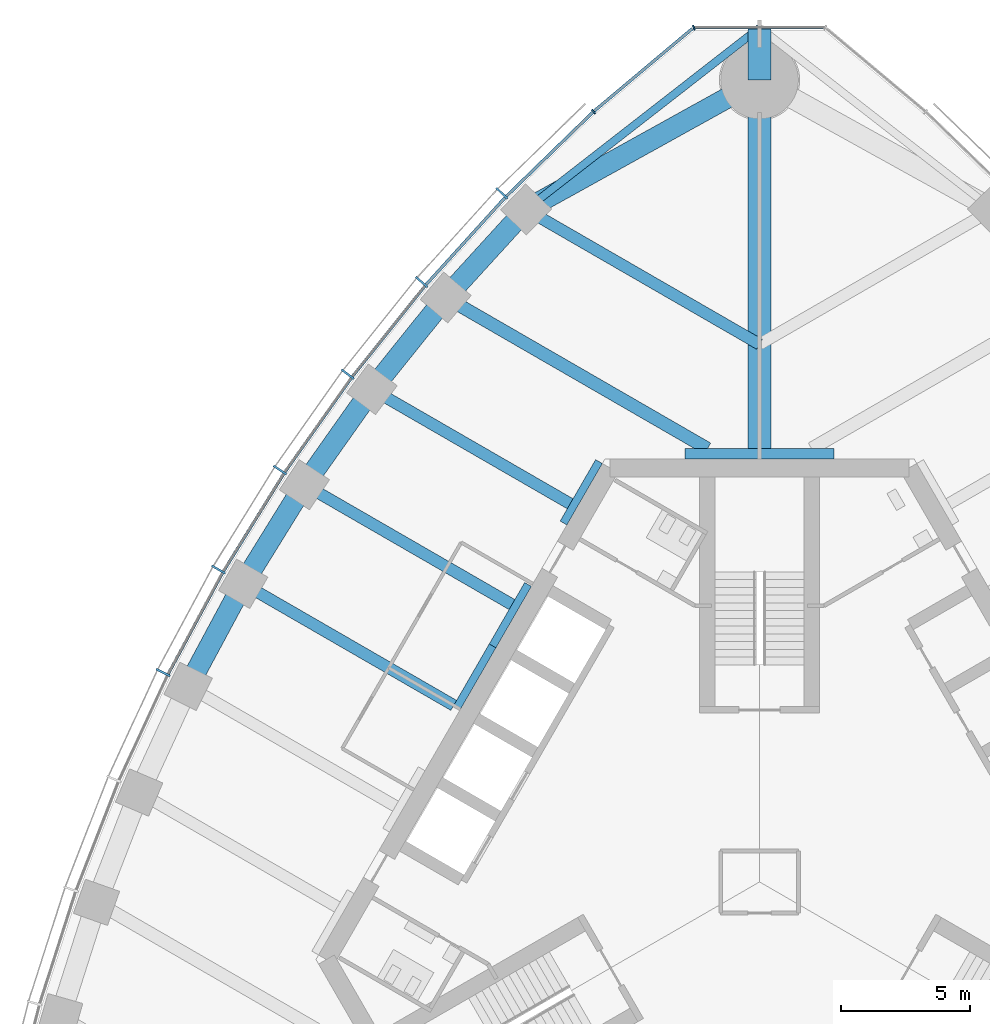
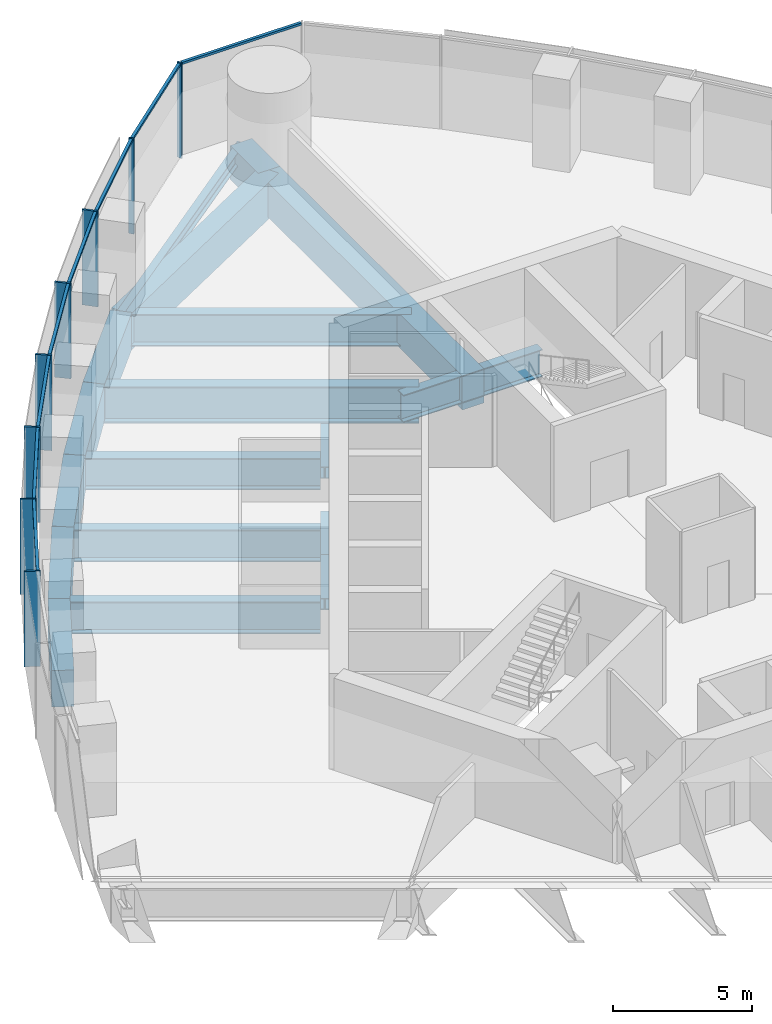
# One storey, part 5 of 14: 19 beams, 16 members, 2 elements without a shape of their own.
"""IFC4 building model written with IfcOpenShell, lengths in metres."""

from ifc_helpers import new_model, si_unit, direction, frame, origin, origin_2d, place, context, subcontext, project, spatial, rectangle, i_section, extrude, material, material_profile, profile_set, type_object, element, aggregate, save


model = new_model("IFC4")

# Units and contexts
model_context = context("Model", 3, precision=1e-05, world=origin(), true_north=direction((0.0, 1.0)))
body_context = subcontext(model_context, "Body", "Model", "MODEL_VIEW")
ifc_project = project(units=[si_unit("LENGTHUNIT", "METRE"), si_unit("AREAUNIT", "SQUARE_METRE"), si_unit("VOLUMEUNIT", "CUBIC_METRE"), si_unit("PLANEANGLEUNIT", "RADIAN"), si_unit("MASSUNIT", "GRAM", prefix="KILO")], contexts=[model_context])

# Site, building, storey
site_placement = place(None, origin())
site = spatial("IfcSite", under=ifc_project, at=site_placement, CompositionType="ELEMENT")
building_placement = place(site_placement, origin())
building = spatial("IfcBuilding", under=site, at=building_placement, Name="Trefoil Bronze Tower", CompositionType="ELEMENT")
storey_placement = place(building_placement, frame((0.0, 0.0, 280.5)))
storey = spatial("IfcBuildingStorey", under=building, at=storey_placement, Name="L64", CompositionType="ELEMENT", Elevation=280.5)

# Curtain wall, members
ifc_material_1 = material(Name="Tinted solar-control glass", Category="glass")
curtain_wall_type_1 = type_object("IfcCurtainWallType", Name="Bronze office curtain wall", PredefinedType="USERDEFINED", material=ifc_material_1)
curtain_wall_1_placement = place(storey_placement, origin())
curtain_wall_1 = element("IfcCurtainWall", 1, at=curtain_wall_1_placement, inside=storey, type_object=curtain_wall_type_1, Name="CW-A L64 F3", ObjectType="CURTAIN WALL", PredefinedType="USERDEFINED")
ifc_material_2 = material(Name="Bronze-finish aluminium", Category="aluminium")
ifc_material_profile_1 = material_profile(ifc_material_2, rectangle(XDim=0.60009765625, YDim=0.080078125, at=origin_2d()), Name="CW-A mullion")
ifc_profile_set_1 = profile_set([ifc_material_profile_1], Name="Bronze-finish aluminium")
member_type_1 = type_object("IfcMemberType", Name="Bronze office curtain wall mullion", PredefinedType="MULLION", material=ifc_profile_set_1)
member_1_placement = place(storey_placement, frame((-9.957275390625, 26.617431640625, 0.0), z_axis=(0.0, 0.0, 1.0), x_axis=(0.719001349715, -0.695008675564, 0.0)))
member_1 = element("IfcMember", 2, at=member_1_placement, type_object=member_type_1, Name="CW-A L64 F3 mullion 2", PredefinedType="MULLION", context=body_context, shape_type="SweptSolid", body=[
    extrude(rectangle(XDim=0.60009765625, YDim=0.080078125, at=origin_2d()), origin(), (0.0, 0.0, 1.0), 4.179931640625),
])
member_2_placement = place(storey_placement, frame((-13.064453125, 23.194091796875, 0.0), z_axis=(0.0, 0.0, 1.0), x_axis=(0.760781190165, -0.649008459646, 0.0)))
member_2 = element("IfcMember", 3, at=member_2_placement, type_object=member_type_1, Name="CW-A L64 F3 mullion 3", PredefinedType="MULLION", context=body_context, shape_type="SweptSolid", body=[
    extrude(rectangle(XDim=0.60009765625, YDim=0.080078125, at=origin_2d()), origin(), (0.0, 0.0, 1.0), 4.179931640625),
])
member_3_placement = place(storey_placement, frame((-15.922607421875, 19.627197265625, 0.0), z_axis=(0.0, 0.0, 1.0), x_axis=(0.799096076136, -0.601203344222, 0.0)))
member_3 = element("IfcMember", 4, at=member_3_placement, type_object=member_type_1, Name="CW-A L64 F3 mullion 4", PredefinedType="MULLION", context=body_context, shape_type="SweptSolid", body=[
    extrude(rectangle(XDim=0.60009765625, YDim=0.080078125, at=origin_2d()), origin(), (0.0, 0.0, 1.0), 4.179931640625),
])
member_4_placement = place(storey_placement, frame((-18.538330078125, 15.920166015625, 0.0), z_axis=(0.0, 0.0, 1.0), x_axis=(0.834159158089, -0.551523797289, 0.0)))
member_4 = element("IfcMember", 5, at=member_4_placement, type_object=member_type_1, Name="CW-A L64 F3 mullion 5", PredefinedType="MULLION", context=body_context, shape_type="SweptSolid", body=[
    extrude(rectangle(XDim=0.60009765625, YDim=0.080078125, at=origin_2d()), origin(), (0.0, 0.0, 1.0), 4.179931640625),
])
member_5_placement = place(storey_placement, frame((-20.916015625, 12.07568359375, 0.0), z_axis=(0.0, 0.0, 1.0), x_axis=(0.866025403784, -0.5, 0.0)))
member_5 = element("IfcMember", 6, at=member_5_placement, type_object=member_type_1, Name="CW-A L64 F3 mullion 6", PredefinedType="MULLION", context=body_context, shape_type="SweptSolid", body=[
    extrude(rectangle(XDim=0.60009765625, YDim=0.080078125, at=origin_2d()), origin(), (0.0, 0.0, 1.0), 4.179931640625),
])
member_6_placement = place(storey_placement, frame((-23.056396484375, 8.094482421875, 0.0), z_axis=(0.0, 0.0, 1.0), x_axis=(0.894713198289, -0.44664112306, 0.0)))
member_6 = element("IfcMember", 7, at=member_6_placement, type_object=member_type_1, Name="CW-A L64 F3 mullion 7", PredefinedType="MULLION", context=body_context, shape_type="SweptSolid", body=[
    extrude(rectangle(XDim=0.60009765625, YDim=0.080078125, at=origin_2d()), origin(), (0.0, 0.0, 1.0), 4.179931640625),
])
ifc_material_3 = material(Name="Bronze-finish aluminium", Category="aluminium")
ifc_material_profile_2 = material_profile(ifc_material_3, rectangle(XDim=0.1201171875, YDim=0.10009765625, at=origin_2d()), Name="CW-A transom")
ifc_profile_set_2 = profile_set([ifc_material_profile_2], Name="Bronze-finish aluminium")
member_type_2 = type_object("IfcMemberType", Name="Bronze office curtain wall transom", PredefinedType="USERDEFINED", material=ifc_profile_set_2)
member_7_placement = place(storey_placement, frame((-6.44921875, 29.7470703125, 4.1298828125), z_axis=(-0.717224617883, -0.696842053484, 0.0), x_axis=(0.696842053484, -0.717224617883, 0.0)))
member_7 = element("IfcMember", 8, at=member_7_placement, type_object=member_type_2, Name="CW-A L64 F3 transom 1", ObjectType="TRANSOM", PredefinedType="USERDEFINED", context=body_context, shape_type="SweptSolid", body=[
    extrude(rectangle(XDim=0.1201171875, YDim=0.10009765625, at=origin_2d()), origin(), (0.0, 0.0, 1.0), 4.6474609375),
])
member_8_placement = place(storey_placement, frame((-9.842529296875, 26.446533203125, 4.1298828125), z_axis=(-0.672068269674, -0.740489190264, 0.0), x_axis=(0.740489190264, -0.672068269674, 0.0)))
member_8 = element("IfcMember", 9, at=member_8_placement, type_object=member_type_2, Name="CW-A L64 F3 transom 2", ObjectType="TRANSOM", PredefinedType="USERDEFINED", context=body_context, shape_type="SweptSolid", body=[
    extrude(rectangle(XDim=0.1201171875, YDim=0.10009765625, at=origin_2d()), origin(), (0.0, 0.0, 1.0), 4.5244140625),
])
member_9_placement = place(storey_placement, frame((-12.939208984375, 23.03076171875, 4.1298828125), z_axis=(-0.625300648488, -0.780383943325, 0.0), x_axis=(0.780383943325, -0.625300648488, 0.0)))
member_9 = element("IfcMember", 10, at=member_9_placement, type_object=member_type_2, Name="CW-A L64 F3 transom 3", ObjectType="TRANSOM", PredefinedType="USERDEFINED", context=body_context, shape_type="SweptSolid", body=[
    extrude(rectangle(XDim=0.1201171875, YDim=0.10009765625, at=origin_2d()), origin(), (0.0, 0.0, 1.0), 4.472412109375),
])
member_10_placement = place(storey_placement, frame((-15.78759765625, 19.4716796875, 4.1298828125), z_axis=(-0.5765665752, -0.817050172488, 0.0), x_axis=(0.817050172488, -0.5765665752, 0.0)))
member_10 = element("IfcMember", 11, at=member_10_placement, type_object=member_type_2, Name="CW-A L64 F3 transom 4", ObjectType="TRANSOM", PredefinedType="USERDEFINED", context=body_context, shape_type="SweptSolid", body=[
    extrude(rectangle(XDim=0.1201171875, YDim=0.10009765625, at=origin_2d()), origin(), (0.0, 0.0, 1.0), 4.4384765625),
])
member_11_placement = place(storey_placement, frame((-18.394287109375, 15.7734375, 4.1298828125), z_axis=(-0.525978235299, -0.850498028212, 0.0), x_axis=(0.850498028212, -0.525978235299, 0.0)))
member_11 = element("IfcMember", 12, at=member_11_placement, type_object=member_type_2, Name="CW-A L64 F3 transom 5", ObjectType="TRANSOM", PredefinedType="USERDEFINED", context=body_context, shape_type="SweptSolid", body=[
    extrude(rectangle(XDim=0.1201171875, YDim=0.10009765625, at=origin_2d()), origin(), (0.0, 0.0, 1.0), 4.422119140625),
])
member_12_placement = place(storey_placement, frame((-20.76318359375, 11.93798828125, 4.1298828125), z_axis=(-0.473540024981, -0.880772300167, 0.0), x_axis=(0.880772300167, -0.473540024981, 0.0)))
member_12 = element("IfcMember", 13, at=member_12_placement, type_object=member_type_2, Name="CW-A L64 F3 transom 6", ObjectType="TRANSOM", PredefinedType="USERDEFINED", context=body_context, shape_type="SweptSolid", body=[
    extrude(rectangle(XDim=0.1201171875, YDim=0.10009765625, at=origin_2d()), origin(), (0.0, 0.0, 1.0), 4.422119140625),
])
aggregate(curtain_wall_1, [member_1, member_2, member_3, member_4, member_5, member_6, member_7, member_8, member_9, member_10, member_11, member_12])

ifc_material_4 = material(Name="Tinted solar-control glass", Category="glass")
curtain_wall_type_2 = type_object("IfcCurtainWallType", Name="Bronze rounded corner curtain wall", PredefinedType="USERDEFINED", material=ifc_material_4)
curtain_wall_2_placement = place(storey_placement, origin())
curtain_wall_2 = element("IfcCurtainWall", 14, at=curtain_wall_2_placement, inside=storey, type_object=curtain_wall_type_2, Name="CW-B L64 K2", ObjectType="CURTAIN WALL", PredefinedType="USERDEFINED")
ifc_material_5 = material(Name="Bronze-finish aluminium", Category="aluminium")
ifc_material_profile_3 = material_profile(ifc_material_5, rectangle(XDim=0.199951171875, YDim=0.06005859375, at=origin_2d()), Name="CW-B mullion")
ifc_profile_set_3 = profile_set([ifc_material_profile_3], Name="Bronze-finish aluminium")
member_type_3 = type_object("IfcMemberType", Name="Bronze rounded corner curtain wall mullion", PredefinedType="MULLION", material=ifc_profile_set_3)
member_13_placement = place(storey_placement, frame((-2.542236328125, 33.021484375, 0.0), z_axis=(0.0, 0.0, 1.0), x_axis=(0.342020143326, -0.939692620786, 0.0)))
member_13 = element("IfcMember", 15, at=member_13_placement, type_object=member_type_3, Name="CW-B L64 K2 mullion 3", PredefinedType="MULLION", context=body_context, shape_type="SweptSolid", body=[
    extrude(rectangle(XDim=0.199951171875, YDim=0.06005859375, at=origin_2d()), origin(), (0.0, 0.0, 1.0), 4.179931640625),
])
member_14_placement = place(storey_placement, frame((-6.4150390625, 29.77978515625, 0.0), z_axis=(0.0, 0.0, 1.0), x_axis=(0.642787609687, -0.766044443119, 0.0)))
member_14 = element("IfcMember", 16, at=member_14_placement, type_object=member_type_3, Name="CW-B L64 K2 mullion 4", PredefinedType="MULLION", context=body_context, shape_type="SweptSolid", body=[
    extrude(rectangle(XDim=0.199951171875, YDim=0.06005859375, at=origin_2d()), origin(), (0.0, 0.0, 1.0), 4.179931640625),
])
ifc_material_6 = material(Name="Bronze-finish aluminium", Category="aluminium")
ifc_material_profile_4 = material_profile(ifc_material_6, rectangle(XDim=0.1201171875, YDim=0.10009765625, at=origin_2d()), Name="CW-B transom")
ifc_profile_set_4 = profile_set([ifc_material_profile_4], Name="Bronze-finish aluminium")
member_type_4 = type_object("IfcMemberType", Name="Bronze rounded corner curtain wall transom", PredefinedType="USERDEFINED", material=ifc_profile_set_4)
member_15_placement = place(storey_placement, frame((2.47802734375, 33.027587890625, 4.1298828125), z_axis=(-1.0, 0.0, 0.0), x_axis=(0.0, -1.0, 0.0)))
member_15 = element("IfcMember", 17, at=member_15_placement, type_object=member_type_4, Name="CW-B L64 K2 transom 2", ObjectType="TRANSOM", PredefinedType="USERDEFINED", context=body_context, shape_type="SweptSolid", body=[
    extrude(rectangle(XDim=0.1201171875, YDim=0.10009765625, at=origin_2d()), origin(), (0.0, 0.0, 1.0), 4.9560546875),
])
member_16_placement = place(storey_placement, frame((-2.595458984375, 32.98486328125, 4.1298828125), z_axis=(-0.766040522511, -0.642792282056, 0.0), x_axis=(0.642792282056, -0.766040522511, 0.0)))
member_16 = element("IfcMember", 18, at=member_16_placement, type_object=member_type_4, Name="CW-B L64 K2 transom 3", ObjectType="TRANSOM", PredefinedType="USERDEFINED", context=body_context, shape_type="SweptSolid", body=[
    extrude(rectangle(XDim=0.1201171875, YDim=0.10009765625, at=origin_2d()), origin(), (0.0, 0.0, 1.0), 4.9560546875),
])
aggregate(curtain_wall_2, [member_13, member_14, member_15, member_16])

# Beams
ifc_material_7 = material(Name="Steel C355", Category="steel")
ifc_material_profile_5 = material_profile(ifc_material_7, i_section(OverallWidth=0.300048828125, OverallDepth=0.5, WebThickness=0.014404296875, FlangeThickness=0.028076171875, FilletRadius=0.027099609375, at=origin_2d()), Name="HEB 500")
ifc_profile_set_5 = profile_set([ifc_material_profile_5], Name="Steel C355")
beam_type_1 = type_object("IfcBeamType", Name="Core seat beam HEB 500", PredefinedType="BEAM", material=ifc_profile_set_5)
for number, where, z_axis, x_axis, name in (
    (19, (-6.20654296875, 16.25, -0.449951171875), (-0.499969057507, -0.866043267704, 0.0), (0.866043267704, -0.499969057507, 0.0), "Core seat beam F3/-2 L64"),
    (20, (-8.948974609375, 11.5, -0.449951171875), (-0.499969057507, -0.866043267704, 0.0), (0.866043267704, -0.499969057507, 0.0), "Core seat beam F3/-1 L64"),
    (21, (-10.320068359375, 9.125, -0.449951171875), (-0.500035825175, -0.866004719122, 0.0), (0.866004719122, -0.500035825175, 0.0), "Core seat beam F3/+0 L64"),
):
    element("IfcBeam", number, at=place(storey_placement, frame(where, z_axis=z_axis, x_axis=x_axis)), inside=storey, type_object=beam_type_1, Name=name, PredefinedType="BEAM", context=body_context, shape_type="SweptSolid", body=[
        extrude(i_section(OverallWidth=0.300048828125, OverallDepth=0.5, WebThickness=0.014404296875, FlangeThickness=0.028076171875, FilletRadius=0.027099609375, at=origin_2d()), origin(), (0.0, 0.0, 1.0), 2.742431640625),
    ])
ifc_material_8 = material(Name="Steel C355", Category="steel")
ifc_material_profile_6 = material_profile(ifc_material_8, i_section(OverallWidth=0.39990234375, OverallDepth=1.199951171875, WebThickness=0.02001953125, FlangeThickness=0.0400390625, FilletRadius=0.010009765625, at=origin_2d()), Name="WPG 1200")
ifc_profile_set_6 = profile_set([ifc_material_profile_6], Name="Steel C355")
beam_type_2 = type_object("IfcBeamType", Name="Core seat beam WPG 1200", PredefinedType="BEAM", material=ifc_profile_set_6)
for number, where, z_axis, x_axis, name in (
    (22, (2.88671875, 16.550048828125, -0.800048828125), (-1.0, 0.0, 0.0), (0.0, -1.0, 0.0), "Core seat beam F2/+3 L64"),
    (23, (0.0, 16.550048828125, -0.800048828125), (-1.0, 0.0, 0.0), (0.0, -1.0, 0.0), "Core seat beam F3/-3 L64"),
):
    element("IfcBeam", number, at=place(storey_placement, frame(where, z_axis=z_axis, x_axis=x_axis)), inside=storey, type_object=beam_type_2, Name=name, PredefinedType="BEAM", context=body_context, shape_type="SweptSolid", body=[
        extrude(i_section(OverallWidth=0.39990234375, OverallDepth=1.199951171875, WebThickness=0.02001953125, FlangeThickness=0.0400390625, FilletRadius=0.010009765625, at=origin_2d()), origin(), (0.0, 0.0, 1.0), 2.88671875),
    ])
ifc_material_9 = material(Name="Concrete B80", Category="concrete")
ifc_material_profile_7 = material_profile(ifc_material_9, rectangle(XDim=0.89990234375, YDim=1.5, at=origin_2d()), Name="RC 900x1500")
ifc_profile_set_7 = profile_set([ifc_material_profile_7], Name="Concrete B80")
beam_type_3 = type_object("IfcBeamType", Name="Corner cantilever RC 900x1500", PredefinedType="BEAM", material=ifc_profile_set_7)
beam_1_placement = place(storey_placement, frame((0.0, 31.0, -0.949951171875), z_axis=(0.0, 1.0, 0.0), x_axis=(-1.0, 0.0, 0.0)))
element("IfcBeam", 24, at=beam_1_placement, inside=storey, type_object=beam_type_3, Name="Corner cantilever K2 L64", PredefinedType="BEAM", context=body_context, shape_type="SweptSolid", body=[
    extrude(rectangle(XDim=0.89990234375, YDim=1.5, at=origin_2d()), origin(), (0.0, 0.0, 1.0), 2.019775390625),
])
ifc_material_10 = material(Name="Steel C355", Category="steel")
ifc_material_profile_8 = material_profile(ifc_material_10, i_section(OverallWidth=0.300048828125, OverallDepth=0.60009765625, WebThickness=0.015380859375, FlangeThickness=0.030029296875, FilletRadius=0.027099609375, at=origin_2d()), Name="HEB 600")
ifc_profile_set_8 = profile_set([ifc_material_profile_8], Name="Steel C355")
beam_type_4 = type_object("IfcBeamType", Name="Corner edge beam HEB 600", PredefinedType="BEAM", material=ifc_profile_set_8)
beam_2_placement = place(storey_placement, frame((-9.02734375, 25.99658203125, -0.5), z_axis=(0.789270604977, 0.614045529354, 0.0), x_axis=(-0.614045529354, 0.789270604977, 0.0)))
element("IfcBeam", 25, at=beam_2_placement, inside=storey, type_object=beam_type_4, Name="Corner edge beam F3B L64", PredefinedType="BEAM", context=body_context, shape_type="SweptSolid", body=[
    extrude(i_section(OverallWidth=0.300048828125, OverallDepth=0.60009765625, WebThickness=0.015380859375, FlangeThickness=0.030029296875, FilletRadius=0.027099609375, at=origin_2d()), origin(), (0.0, 0.0, 1.0), 11.4375),
])
ifc_material_11 = material(Name="Concrete B80", Category="concrete")
ifc_material_profile_9 = material_profile(ifc_material_11, rectangle(XDim=0.89990234375, YDim=1.5, at=origin_2d()), Name="RC 900x1500")
ifc_profile_set_9 = profile_set([ifc_material_profile_9], Name="Concrete B80")
beam_type_5 = type_object("IfcBeamType", Name="Corner girder RC 900x1500", PredefinedType="BEAM", material=ifc_profile_set_9)
beam_3_placement = place(storey_placement, frame((0.0, 16.35009765625, -0.949951171875), z_axis=(0.0, 1.0, 0.0), x_axis=(-1.0, 0.0, 0.0)))
element("IfcBeam", 26, at=beam_3_placement, inside=storey, type_object=beam_type_5, Name="Corner girder K2 L64", PredefinedType="BEAM", context=body_context, shape_type="SweptSolid", body=[
    extrude(rectangle(XDim=0.89990234375, YDim=1.5, at=origin_2d()), origin(), (0.0, 0.0, 1.0), 14.64990234375),
])
ifc_material_12 = material(Name="Concrete B80", Category="concrete")
ifc_material_profile_10 = material_profile(ifc_material_12, rectangle(XDim=0.800048828125, YDim=1.60009765625, at=origin_2d()), Name="RC 800x1600")
ifc_profile_set_10 = profile_set([ifc_material_profile_10], Name="Concrete B80")
beam_type_6 = type_object("IfcBeamType", Name="End spandrel beam RC 800x1600", PredefinedType="SPANDREL", material=ifc_profile_set_10)
beam_4_placement = place(storey_placement, frame((0.0, 31.0, -1.0), z_axis=(-0.874641085074, -0.484771051426, 0.0), x_axis=(0.484771051426, -0.874641085074, 0.0)))
element("IfcBeam", 27, at=beam_4_placement, inside=storey, type_object=beam_type_6, Name="Spandrel F3.1 L64", PredefinedType="SPANDREL", context=body_context, shape_type="SweptSolid", body=[
    extrude(rectangle(XDim=0.800048828125, YDim=1.60009765625, at=origin_2d()), origin(), (0.0, 0.0, 1.0), 10.3212890625),
])
ifc_material_13 = material(Name="Steel C355", Category="steel")
ifc_material_profile_11 = material_profile(ifc_material_13, i_section(OverallWidth=0.449951171875, OverallDepth=1.39990234375, WebThickness=0.02294921875, FlangeThickness=0.044921875, FilletRadius=0.011962890625, at=origin_2d()), Name="WPG 1400")
ifc_profile_set_11 = profile_set([ifc_material_profile_11], Name="Steel C355")
beam_type_7 = type_object("IfcBeamType", Name="Floor beam WPG 1400", PredefinedType="BEAM", material=ifc_profile_set_11)
beam_5_placement = place(storey_placement, frame((-9.02734375, 25.99658203125, -0.89990234375), z_axis=(0.866026453994, -0.499998180979, 0.0), x_axis=(0.499998180979, 0.866026453994, 0.0)))
element("IfcBeam", 28, at=beam_5_placement, inside=storey, type_object=beam_type_7, Name="Floor beam F3/-4 L64", PredefinedType="BEAM", context=body_context, shape_type="SweptSolid", body=[
    extrude(i_section(OverallWidth=0.449951171875, OverallDepth=1.39990234375, WebThickness=0.02294921875, FlangeThickness=0.044921875, FilletRadius=0.011962890625, at=origin_2d()), origin(), (0.0, 0.0, 1.0), 10.423828125),
])
beam_6_placement = place(storey_placement, frame((-14.98486328125, 19.043701171875, -0.89990234375), z_axis=(0.866025701847, -0.499999483739, 0.0), x_axis=(0.499999483739, 0.866025701847, 0.0)))
element("IfcBeam", 29, at=beam_6_placement, inside=storey, type_object=beam_type_7, Name="Floor beam F3/-2 L64", PredefinedType="BEAM", context=body_context, shape_type="SweptSolid", body=[
    extrude(i_section(OverallWidth=0.449951171875, OverallDepth=1.39990234375, WebThickness=0.02294921875, FlangeThickness=0.044921875, FilletRadius=0.011962890625, at=origin_2d()), origin(), (0.0, 0.0, 1.0), 8.84912109375),
])
beam_7_placement = place(storey_placement, frame((-17.593994140625, 15.35400390625, -0.89990234375), z_axis=(0.866028909405, -0.499993928037, 0.0), x_axis=(0.499993928037, 0.866028909405, 0.0)))
element("IfcBeam", 30, at=beam_7_placement, inside=storey, type_object=beam_type_7, Name="Floor beam F3/-1 L64", PredefinedType="BEAM", context=body_context, shape_type="SweptSolid", body=[
    extrude(i_section(OverallWidth=0.449951171875, OverallDepth=1.39990234375, WebThickness=0.02294921875, FlangeThickness=0.044921875, FilletRadius=0.011962890625, at=origin_2d()), origin(), (0.0, 0.0, 1.0), 9.263671875),
])
beam_8_placement = place(storey_placement, frame((-19.96337890625, 11.52587890625, -0.89990234375), z_axis=(0.866021259968, -0.500007177232, 0.0), x_axis=(0.500007177232, 0.866021259968, 0.0)))
element("IfcBeam", 31, at=beam_8_placement, inside=storey, type_object=beam_type_7, Name="Floor beam F3/+0 L64", PredefinedType="BEAM", context=body_context, shape_type="SweptSolid", body=[
    extrude(i_section(OverallWidth=0.449951171875, OverallDepth=1.39990234375, WebThickness=0.02294921875, FlangeThickness=0.044921875, FilletRadius=0.011962890625, at=origin_2d()), origin(), (0.0, 0.0, 1.0), 9.401611328125),
])
ifc_material_14 = material(Name="Steel C355", Category="steel")
ifc_material_profile_12 = material_profile(ifc_material_14, i_section(OverallWidth=0.5, OverallDepth=1.60009765625, WebThickness=0.02587890625, FlangeThickness=0.050048828125, FilletRadius=0.011962890625, at=origin_2d()), Name="WPG 1600")
ifc_profile_set_12 = profile_set([ifc_material_profile_12], Name="Steel C355")
beam_type_8 = type_object("IfcBeamType", Name="Floor beam WPG 1600", PredefinedType="BEAM", material=ifc_profile_set_12)
beam_9_placement = place(storey_placement, frame((-12.131591796875, 22.5927734375, -1.0), z_axis=(0.866017882563, -0.500013026912, 0.0), x_axis=(0.500013026912, 0.866017882563, 0.0)))
element("IfcBeam", 32, at=beam_9_placement, inside=storey, type_object=beam_type_8, Name="Floor beam F3/-3 L64", PredefinedType="BEAM", context=body_context, shape_type="SweptSolid", body=[
    extrude(i_section(OverallWidth=0.5, OverallDepth=1.60009765625, WebThickness=0.02587890625, FlangeThickness=0.050048828125, FilletRadius=0.011962890625, at=origin_2d()), origin(), (0.0, 0.0, 1.0), 11.685302734375),
])
ifc_material_15 = material(Name="Concrete B80", Category="concrete")
ifc_material_profile_13 = material_profile(ifc_material_15, rectangle(XDim=0.800048828125, YDim=1.60009765625, at=origin_2d()), Name="RC 800x1600")
ifc_profile_set_13 = profile_set([ifc_material_profile_13], Name="Concrete B80")
beam_type_9 = type_object("IfcBeamType", Name="Spandrel beam RC 800x1600", PredefinedType="SPANDREL", material=ifc_profile_set_13)
beam_10_placement = place(storey_placement, frame((-9.02734375, 25.99658203125, -1.0), z_axis=(-0.673845775847, -0.738872025707, 0.0), x_axis=(0.738872025707, -0.673845775847, 0.0)))
element("IfcBeam", 33, at=beam_10_placement, inside=storey, type_object=beam_type_9, Name="Spandrel F3.2 L64", PredefinedType="SPANDREL", context=body_context, shape_type="SweptSolid", body=[
    extrude(rectangle(XDim=0.800048828125, YDim=1.60009765625, at=origin_2d()), origin(), (0.0, 0.0, 1.0), 4.606689453125),
])
beam_11_placement = place(storey_placement, frame((-12.131591796875, 22.5927734375, -1.0), z_axis=(-0.626569682592, -0.779365403939, 0.0), x_axis=(0.779365403939, -0.626569682592, 0.0)))
element("IfcBeam", 34, at=beam_11_placement, inside=storey, type_object=beam_type_9, Name="Spandrel F3.3 L64", PredefinedType="SPANDREL", context=body_context, shape_type="SweptSolid", body=[
    extrude(rectangle(XDim=0.800048828125, YDim=1.60009765625, at=origin_2d()), origin(), (0.0, 0.0, 1.0), 4.5537109375),
])
beam_12_placement = place(storey_placement, frame((-14.98486328125, 19.043701171875, -1.0), z_axis=(-0.577368105169, -0.816483968693, 0.0), x_axis=(0.816483968693, -0.577368105169, 0.0)))
element("IfcBeam", 35, at=beam_12_placement, inside=storey, type_object=beam_type_9, Name="Spandrel F3.4 L64", PredefinedType="SPANDREL", context=body_context, shape_type="SweptSolid", body=[
    extrude(rectangle(XDim=0.800048828125, YDim=1.60009765625, at=origin_2d()), origin(), (0.0, 0.0, 1.0), 4.51904296875),
])
beam_13_placement = place(storey_placement, frame((-17.593994140625, 15.35400390625, -1.0), z_axis=(-0.526289271956, -0.850305593433, 0.0), x_axis=(0.850305593433, -0.526289271956, 0.0)))
element("IfcBeam", 36, at=beam_13_placement, inside=storey, type_object=beam_type_9, Name="Spandrel F3.5 L64", PredefinedType="SPANDREL", context=body_context, shape_type="SweptSolid", body=[
    extrude(rectangle(XDim=0.800048828125, YDim=1.60009765625, at=origin_2d()), origin(), (0.0, 0.0, 1.0), 4.501953125),
])
beam_14_placement = place(storey_placement, frame((-19.96337890625, 11.52587890625, -1.0), z_axis=(-0.473245885676, -0.880930378458, 0.0), x_axis=(0.880930378458, -0.473245885676, 0.0)))
element("IfcBeam", 37, at=beam_14_placement, inside=storey, type_object=beam_type_9, Name="Spandrel F3.6 L64", PredefinedType="SPANDREL", context=body_context, shape_type="SweptSolid", body=[
    extrude(rectangle(XDim=0.800048828125, YDim=1.60009765625, at=origin_2d()), origin(), (0.0, 0.0, 1.0), 4.502197265625),
])

save(model, "model.ifc")
